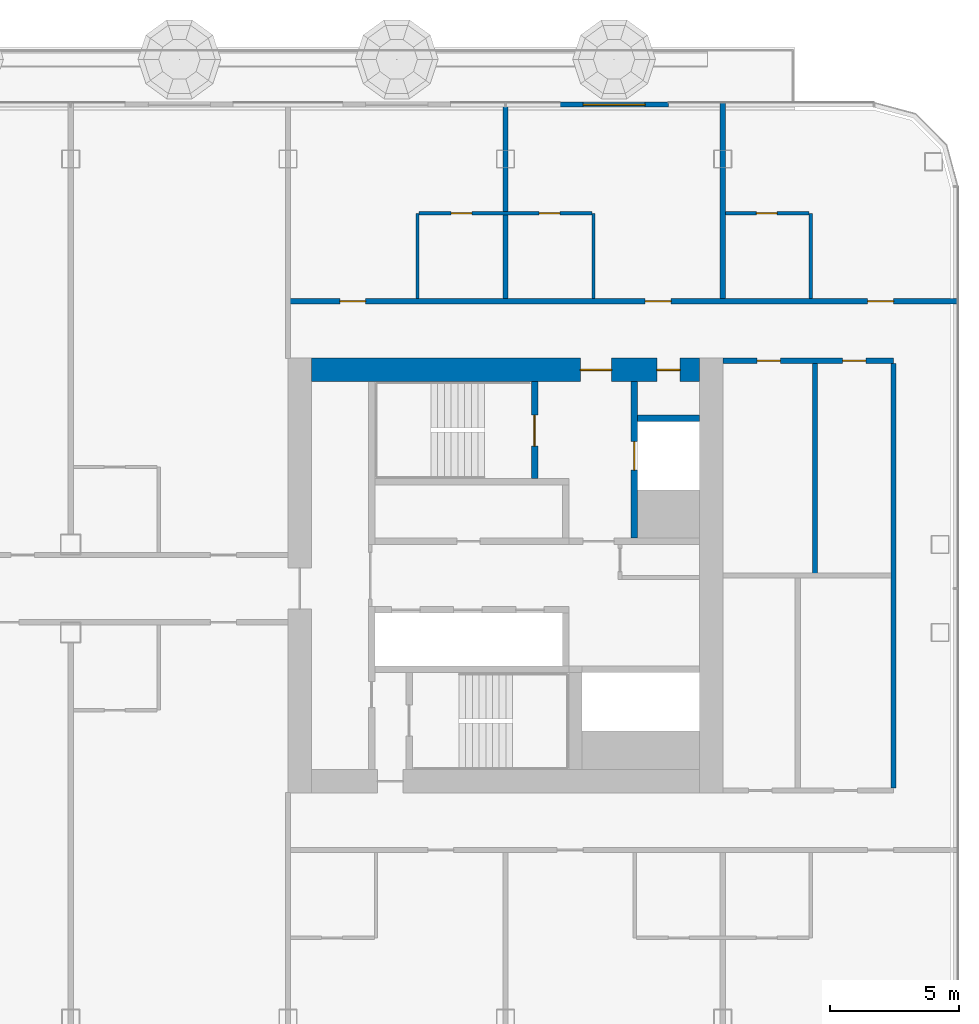
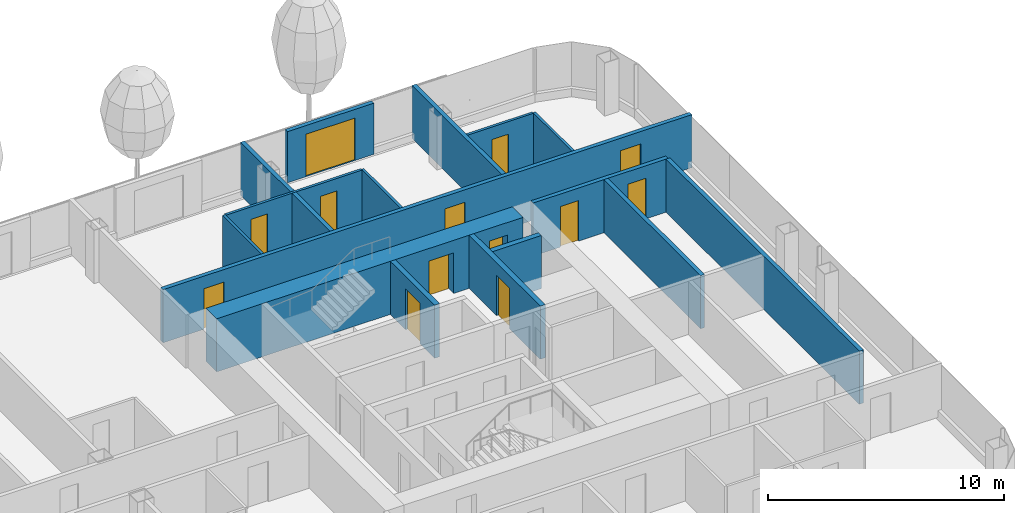
# One storey, part 15 of 29: 16 walls, 13 doors, 13 openings, 1 element without a shape of its own.
"""IFC4 building model written with IfcOpenShell, lengths in metres."""

from ifc_helpers import new_model, si_unit, direction, frame, frame_2d, origin, place, context, subcontext, project, spatial, rectangle, extrude, material, layer, layer_set, type_object, element, fill, aggregate, save


model = new_model("IFC4")

# Units and contexts
model_context = context("Model", 3, precision=1e-05, world=origin(), true_north=direction((0.0, 1.0)))
body_context = subcontext(model_context, "Body", "Model", "MODEL_VIEW")
ifc_project = project(units=[si_unit("LENGTHUNIT", "METRE"), si_unit("AREAUNIT", "SQUARE_METRE"), si_unit("VOLUMEUNIT", "CUBIC_METRE"), si_unit("PLANEANGLEUNIT", "RADIAN"), si_unit("MASSUNIT", "GRAM", prefix="KILO")], contexts=[model_context])

# Site, building, storey
site_placement = place(None, origin())
site = spatial("IfcSite", under=ifc_project, at=site_placement, CompositionType="ELEMENT")
building_placement = place(site_placement, origin())
building = spatial("IfcBuilding", under=site, at=building_placement, Name="Hakoniwa Tower and Hamabe Station Hall", CompositionType="ELEMENT")
storey_placement = place(building_placement, frame((0.0, 0.0, 163.0)))
storey = spatial("IfcBuildingStorey", under=building, at=storey_placement, Name="L46", CompositionType="ELEMENT", Elevation=163.0)

# Wall, openings, doors
ifc_material_1 = material(Name="Gypsum board partition", Category="gypsum")
ifc_layer_1 = layer(ifc_material_1, 0.125)
ifc_layer_set_1 = layer_set([ifc_layer_1], Name="Bathroom Partition 125")
wall_type_1 = type_object("IfcWallType", Name="Bathroom Partition 125", PredefinedType="PARTITIONING", material=ifc_layer_set_1)
wall_1_placement = place(storey_placement, frame((21.862548828125, 14.0, 0.0), z_axis=(0.0, 0.0, 1.0), x_axis=(1.0, 0.0, 0.0)))
wall_1 = element("IfcWall", 1, at=wall_1_placement, inside=storey, type_object=wall_type_1, Name="GW-L46-026", PredefinedType="PARTITIONING", context=body_context, shape_type="SweptSolid", body=[
    extrude(rectangle(XDim=6.675048828125, YDim=0.125, at=frame_2d((3.33740234375, 0.0))), origin(), (0.0, 0.0, 1.0), 2.75),
])
opening_1_placement = place(wall_1_placement, frame((1.237548828125, 0.0, 0.0)))
opening_1 = element("IfcOpeningElement", 2, at=opening_1_placement, cuts=wall_1, Name="Opening GD-G3A2-46", PredefinedType="OPENING", context=body_context, shape_type="SweptSolid", body=[
    extrude(rectangle(XDim=0.800048828125, YDim=2.10009765625, at=frame_2d((0.39990234375, 1.050048828125))), frame((0.0, 0.072509765625, 0.0), z_axis=(0.0, -1.0, 0.0), x_axis=(1.0, 0.0, 0.0)), (0.0, 0.0, 1.0), 0.14501953125),
])
opening_2_placement = place(wall_1_placement, frame((4.637451171875, 0.0, 0.0)))
opening_2 = element("IfcOpeningElement", 3, at=opening_2_placement, cuts=wall_1, Name="Opening GD-G3A2-47", PredefinedType="OPENING", context=body_context, shape_type="SweptSolid", body=[
    extrude(rectangle(XDim=0.800048828125, YDim=2.10009765625, at=frame_2d((0.39990234375, 1.050048828125))), frame((0.0, 0.072509765625, 0.0), z_axis=(0.0, -1.0, 0.0), x_axis=(1.0, 0.0, 0.0)), (0.0, 0.0, 1.0), 0.14501953125),
])
ifc_material_2 = material(Name="Timber door leaf", Category="wood")
door_type_1 = type_object("IfcDoorType", Name="Bathroom Door 800", OperationType="SINGLE_SWING_LEFT", PredefinedType="DOOR", material=ifc_material_2)
door_1_placement = place(opening_1_placement, origin())
door_1 = element("IfcDoor", 4, at=door_1_placement, inside=storey, type_object=door_type_1, Name="Door GD-G3A2-46", OperationType="SINGLE_SWING_LEFT", OverallHeight=2.10009765625, OverallWidth=0.800048828125, PredefinedType="DOOR", context=body_context, shape_type="SweptSolid", body=[
    extrude(rectangle(XDim=0.800048828125, YDim=2.10009765625, at=frame_2d((0.39990234375, 1.050048828125))), frame((0.0, 0.02490234375, 0.0), z_axis=(0.0, -1.0, 0.0), x_axis=(1.0, 0.0, 0.0)), (0.0, 0.0, 1.0), 0.050048828125),
])
fill(opening_1, door_1)
door_2_placement = place(opening_2_placement, origin())
door_2 = element("IfcDoor", 5, at=door_2_placement, inside=storey, type_object=door_type_1, Name="Door GD-G3A2-47", OperationType="SINGLE_SWING_RIGHT", OverallHeight=2.10009765625, OverallWidth=0.800048828125, PredefinedType="DOOR", context=body_context, shape_type="SweptSolid", body=[
    extrude(rectangle(XDim=0.800048828125, YDim=2.10009765625, at=frame_2d((0.39990234375, 1.050048828125))), frame((0.0, 0.02490234375, 0.0), z_axis=(0.0, -1.0, 0.0), x_axis=(1.0, 0.0, 0.0)), (0.0, 0.0, 1.0), 0.050048828125),
])
fill(opening_2, door_2)

# Wall, opening, door
wall_2_placement = place(storey_placement, frame((33.699951171875, 14.0, 0.0), z_axis=(0.0, 0.0, 1.0), x_axis=(1.0, 0.0, 0.0)))
wall_2 = element("IfcWall", 6, at=wall_2_placement, inside=storey, type_object=wall_type_1, Name="GW-L46-027", PredefinedType="PARTITIONING", context=body_context, shape_type="SweptSolid", body=[
    extrude(rectangle(XDim=3.237548828125, YDim=0.125, at=frame_2d((1.61865234375, 0.0))), origin(), (0.0, 0.0, 1.0), 2.75),
])
opening_3_placement = place(wall_2_placement, frame((1.199951171875, 0.0, 0.0)))
opening_3 = element("IfcOpeningElement", 7, at=opening_3_placement, cuts=wall_2, Name="Opening GD-G3A2-48", PredefinedType="OPENING", context=body_context, shape_type="SweptSolid", body=[
    extrude(rectangle(XDim=0.800048828125, YDim=2.10009765625, at=frame_2d((0.39990234375, 1.050048828125))), frame((0.0, 0.072509765625, 0.0), z_axis=(0.0, -1.0, 0.0), x_axis=(1.0, 0.0, 0.0)), (0.0, 0.0, 1.0), 0.14501953125),
])
door_3_placement = place(opening_3_placement, origin())
door_3 = element("IfcDoor", 8, at=door_3_placement, inside=storey, type_object=door_type_1, Name="Door GD-G3A2-48", OperationType="SINGLE_SWING_LEFT", OverallHeight=2.10009765625, OverallWidth=0.800048828125, PredefinedType="DOOR", context=body_context, shape_type="SweptSolid", body=[
    extrude(rectangle(XDim=0.800048828125, YDim=2.10009765625, at=frame_2d((0.39990234375, 1.050048828125))), frame((0.0, 0.02490234375, 0.0), z_axis=(0.0, -1.0, 0.0), x_axis=(1.0, 0.0, 0.0)), (0.0, 0.0, 1.0), 0.050048828125),
])
fill(opening_3, door_3)

# Walls
for number, where, z_axis, x_axis, name in (
    (9, (21.800048828125, 10.699951171875, 0.0), (0.0, 0.0, 1.0), (0.0, 1.0, 0.0), "GW-L46-060"),
    (10, (28.60009765625, 10.699951171875, 0.0), (0.0, 0.0, 1.0), (0.0, 1.0, 0.0), "GW-L46-063"),
    (11, (37.0, 10.699951171875, 0.0), (0.0, 0.0, 1.0), (0.0, 1.0, 0.0), "GW-L46-069"),
):
    element("IfcWall", number, at=place(storey_placement, frame(where, z_axis=z_axis, x_axis=x_axis)), inside=storey, type_object=wall_type_1, Name=name, PredefinedType="PARTITIONING", context=body_context, shape_type="SweptSolid", body=[
        extrude(rectangle(XDim=3.300048828125, YDim=0.125, at=frame_2d((1.64990234375, 0.0))), origin(), (0.0, 0.0, 1.0), 2.75),
    ])

# Wall, openings, doors
ifc_material_3 = material(Name="Concrete C66", Category="concrete")
ifc_layer_2 = layer(ifc_material_3, 0.89990234375)
ifc_layer_set_2 = layer_set([ifc_layer_2], Name="CORE WALL 900 C66")
wall_type_2 = type_object("IfcWallType", Name="CORE WALL 900 C66", PredefinedType="SHEAR", material=ifc_layer_set_2)
wall_3_placement = place(storey_placement, frame((17.699951171875, 7.949951171875, 0.0), z_axis=(0.0, 0.0, 1.0), x_axis=(1.0, 0.0, 0.0)))
wall_3 = element("IfcWall", 12, at=wall_3_placement, inside=storey, type_object=wall_type_2, Name="Core wall NORTH east", PredefinedType="SHEAR", context=body_context, shape_type="SweptSolid", body=[
    extrude(rectangle(XDim=15.0, YDim=0.89990234375, at=frame_2d((7.5, 0.0))), origin(), (0.0, 0.0, 1.0), 2.75),
])
opening_4_placement = place(wall_3_placement, frame((10.39990234375, 0.0, 0.0)))
opening_4 = element("IfcOpeningElement", 13, at=opening_4_placement, cuts=wall_3, Name="Opening CD-E-FN1-12", PredefinedType="OPENING", context=body_context, shape_type="SweptSolid", body=[
    extrude(rectangle(XDim=1.199951171875, YDim=2.10009765625, at=frame_2d((0.60009765625, 1.050048828125))), frame((0.0, 0.4599609375, 0.0), z_axis=(0.0, -1.0, 0.0), x_axis=(1.0, 0.0, 0.0)), (0.0, 0.0, 1.0), 0.919921875),
])
opening_5_placement = place(wall_3_placement, frame((13.35009765625, 0.0, 0.0)))
opening_5 = element("IfcOpeningElement", 14, at=opening_5_placement, cuts=wall_3, Name="Opening CD-E-FN2-9", PredefinedType="OPENING", context=body_context, shape_type="SweptSolid", body=[
    extrude(rectangle(XDim=0.89990234375, YDim=2.10009765625, at=frame_2d((0.449951171875, 1.050048828125))), frame((0.0, 0.4599609375, 0.0), z_axis=(0.0, -1.0, 0.0), x_axis=(1.0, 0.0, 0.0)), (0.0, 0.0, 1.0), 0.919921875),
])
ifc_material_4 = material(Name="Steel fire door", Category="steel")
door_type_2 = type_object("IfcDoorType", Name="CORE DOOR 1200 FD60", OperationType="DOUBLE_DOOR_SINGLE_SWING", PredefinedType="DOOR", material=ifc_material_4)
door_4_placement = place(opening_4_placement, origin())
door_4 = element("IfcDoor", 15, at=door_4_placement, inside=storey, type_object=door_type_2, Name="Stair vestibule door to the fire-fighting lobby", OperationType="DOUBLE_DOOR_SINGLE_SWING", OverallHeight=2.10009765625, OverallWidth=1.199951171875, PredefinedType="DOOR", context=body_context, shape_type="SweptSolid", body=[
    extrude(rectangle(XDim=1.199951171875, YDim=2.10009765625, at=frame_2d((0.60009765625, 1.050048828125))), frame((0.0, 0.02490234375, 0.0), z_axis=(0.0, -1.0, 0.0), x_axis=(1.0, 0.0, 0.0)), (0.0, 0.0, 1.0), 0.050048828125),
])
fill(opening_4, door_4)
ifc_material_5 = material(Name="Steel fire door", Category="steel")
door_type_3 = type_object("IfcDoorType", Name="CORE DOOR 900 FD30", OperationType="NOTDEFINED", PredefinedType="DOOR", material=ifc_material_5)
door_5_placement = place(opening_5_placement, origin())
door_5 = element("IfcDoor", 16, at=door_5_placement, inside=storey, type_object=door_type_3, Name="Riser access door", OperationType="SINGLE_SWING_RIGHT", OverallHeight=2.10009765625, OverallWidth=0.89990234375, PredefinedType="DOOR", context=body_context, shape_type="SweptSolid", body=[
    extrude(rectangle(XDim=0.89990234375, YDim=2.10009765625, at=frame_2d((0.449951171875, 1.050048828125))), frame((0.0, 0.02490234375, 0.0), z_axis=(0.0, -1.0, 0.0), x_axis=(1.0, 0.0, 0.0)), (0.0, 0.0, 1.0), 0.050048828125),
])
fill(opening_5, door_5)

# Wall, opening, door
ifc_material_6 = material(Name="Concrete C66", Category="concrete")
ifc_layer_3 = layer(ifc_material_6, 0.25)
ifc_layer_set_3 = layer_set([ifc_layer_3], Name="CORE WEB WALL 250 C66")
wall_type_3 = type_object("IfcWallType", Name="CORE WEB WALL 250 C66", PredefinedType="SHEAR", material=ifc_layer_set_3)
wall_4_placement = place(storey_placement, frame((26.324951171875, 3.75, 0.0), z_axis=(0.0, 0.0, 1.0), x_axis=(0.0, 1.0, 0.0)))
wall_4 = element("IfcWall", 17, at=wall_4_placement, inside=storey, type_object=wall_type_3, Name="Core wall NSE east", PredefinedType="SHEAR", context=body_context, shape_type="SweptSolid", body=[
    extrude(rectangle(XDim=3.75, YDim=0.25, at=frame_2d((1.875, 0.0))), origin(), (0.0, 0.0, 1.0), 2.75),
])
opening_6_placement = place(wall_4_placement, frame((1.25, 0.0, 0.0)))
opening_6 = element("IfcOpeningElement", 18, at=opening_6_placement, cuts=wall_4, Name="Opening CD-E-SN-12", PredefinedType="OPENING", context=body_context, shape_type="SweptSolid", body=[
    extrude(rectangle(XDim=1.199951171875, YDim=2.10009765625, at=frame_2d((0.60009765625, 1.050048828125))), frame((0.0, 0.135009765625, 0.0), z_axis=(0.0, -1.0, 0.0), x_axis=(1.0, 0.0, 0.0)), (0.0, 0.0, 1.0), 0.27001953125),
])
door_6_placement = place(opening_6_placement, origin())
door_6 = element("IfcDoor", 19, at=door_6_placement, inside=storey, type_object=door_type_2, Name="Escape stair door", OperationType="DOUBLE_DOOR_SINGLE_SWING", OverallHeight=2.10009765625, OverallWidth=1.199951171875, PredefinedType="DOOR", context=body_context, shape_type="SweptSolid", body=[
    extrude(rectangle(XDim=1.199951171875, YDim=2.10009765625, at=frame_2d((0.60009765625, 1.050048828125))), frame((0.0, 0.02490234375, 0.0), z_axis=(0.0, -1.0, 0.0), x_axis=(1.0, 0.0, 0.0)), (0.0, 0.0, 1.0), 0.050048828125),
])
fill(opening_6, door_6)

wall_5_placement = place(storey_placement, frame((30.175048828125, 1.449951171875, 0.0), z_axis=(0.0, 0.0, 1.0), x_axis=(0.0, 1.0, 0.0)))
wall_5 = element("IfcWall", 20, at=wall_5_placement, inside=storey, type_object=wall_type_3, Name="Core wall FFF east", PredefinedType="SHEAR", context=body_context, shape_type="SweptSolid", body=[
    extrude(rectangle(XDim=6.050048828125, YDim=0.25, at=frame_2d((3.02490234375, 0.0))), origin(), (0.0, 0.0, 1.0), 2.75),
])
opening_7_placement = place(wall_5_placement, frame((2.625, 0.0, 0.0)))
opening_7 = element("IfcOpeningElement", 21, at=opening_7_placement, cuts=wall_5, Name="Opening LD-FF2", PredefinedType="OPENING", context=body_context, shape_type="SweptSolid", body=[
    extrude(rectangle(XDim=1.10009765625, YDim=2.10009765625, at=frame_2d((0.550048828125, 1.050048828125))), frame((0.0, 0.135009765625, 0.0), z_axis=(0.0, -1.0, 0.0), x_axis=(1.0, 0.0, 0.0)), (0.0, 0.0, 1.0), 0.27001953125),
])
ifc_material_7 = material(Name="Stainless steel SUS304", Category="steel")
door_type_4 = type_object("IfcDoorType", Name="LIFT LANDING DOOR 1100 FD60", OperationType="DOUBLE_DOOR_SLIDING", PredefinedType="DOOR", material=ifc_material_7)
door_7_placement = place(opening_7_placement, origin())
door_7 = element("IfcDoor", 22, at=door_7_placement, inside=storey, type_object=door_type_4, Name="Lift landing door FF2 L46", OperationType="DOUBLE_DOOR_SLIDING", OverallHeight=2.10009765625, OverallWidth=1.10009765625, PredefinedType="DOOR", context=body_context, shape_type="SweptSolid", body=[
    extrude(rectangle(XDim=1.10009765625, YDim=2.10009765625, at=frame_2d((0.550048828125, 1.050048828125))), frame((0.0, 0.02490234375, 0.0), z_axis=(0.0, -1.0, 0.0), x_axis=(1.0, 0.0, 0.0)), (0.0, 0.0, 1.0), 0.050048828125),
])
fill(opening_7, door_7)

# Wall
wall_6_placement = place(storey_placement, frame((30.300048828125, 6.074951171875, 0.0), z_axis=(0.0, 0.0, 1.0), x_axis=(1.0, 0.0, 0.0)))
element("IfcWall", 23, at=wall_6_placement, inside=storey, type_object=wall_type_3, Name="Core wall C2 east", PredefinedType="SHEAR", context=body_context, shape_type="SweptSolid", body=[
    extrude(rectangle(XDim=2.39990234375, YDim=0.25, at=frame_2d((1.199951171875, 0.0))), origin(), (0.0, 0.0, 1.0), 2.75),
])

# Wall, openings, doors
ifc_material_8 = material(Name="Fire-rated gypsum board partition", Category="gypsum")
ifc_layer_4 = layer(ifc_material_8, 0.199951171875)
ifc_layer_set_4 = layer_set([ifc_layer_4], Name="Corridor Wall 200")
wall_type_4 = type_object("IfcWallType", Name="Corridor Wall 200", PredefinedType="PARTITIONING", material=ifc_layer_set_4)
wall_7_placement = place(storey_placement, frame((33.60009765625, 8.300048828125, 0.0), z_axis=(0.0, 0.0, 1.0), x_axis=(1.0, 0.0, 0.0)))
wall_7 = element("IfcWall", 24, at=wall_7_placement, inside=storey, type_object=wall_type_4, Name="GW-L46-020", PredefinedType="PARTITIONING", context=body_context, shape_type="SweptSolid", body=[
    extrude(rectangle(XDim=6.599853515625, YDim=0.199951171875, at=frame_2d((3.2998046875, 0.0))), origin(), (0.0, 0.0, 1.0), 2.75),
])
opening_8_placement = place(wall_7_placement, frame((1.330078125, 0.0, 0.0)))
opening_8 = element("IfcOpeningElement", 25, at=opening_8_placement, cuts=wall_7, Name="Opening GD-G3A2-35", PredefinedType="OPENING", context=body_context, shape_type="SweptSolid", body=[
    extrude(rectangle(XDim=0.89990234375, YDim=2.10009765625, at=frame_2d((0.449951171875, 1.050048828125))), frame((0.0, 0.10986328125, 0.0), z_axis=(0.0, -1.0, 0.0), x_axis=(1.0, 0.0, 0.0)), (0.0, 0.0, 1.0), 0.219970703125),
])
opening_9_placement = place(wall_7_placement, frame((4.6298828125, 0.0, 0.0)))
opening_9 = element("IfcOpeningElement", 26, at=opening_9_placement, cuts=wall_7, Name="Opening GD-G3A2-36", PredefinedType="OPENING", context=body_context, shape_type="SweptSolid", body=[
    extrude(rectangle(XDim=0.89990234375, YDim=2.10009765625, at=frame_2d((0.449951171875, 1.050048828125))), frame((0.0, 0.10986328125, 0.0), z_axis=(0.0, -1.0, 0.0), x_axis=(1.0, 0.0, 0.0)), (0.0, 0.0, 1.0), 0.219970703125),
])
ifc_material_9 = material(Name="Timber door leaf", Category="wood")
door_type_5 = type_object("IfcDoorType", Name="Service Door 900", OperationType="SINGLE_SWING_LEFT", PredefinedType="DOOR", material=ifc_material_9)
door_8_placement = place(opening_8_placement, origin())
door_8 = element("IfcDoor", 27, at=door_8_placement, inside=storey, type_object=door_type_5, Name="Door GD-G3A2-35", OperationType="SINGLE_SWING_RIGHT", OverallHeight=2.10009765625, OverallWidth=0.89990234375, PredefinedType="DOOR", context=body_context, shape_type="SweptSolid", body=[
    extrude(rectangle(XDim=0.89990234375, YDim=2.10009765625, at=frame_2d((0.449951171875, 1.050048828125))), frame((0.0, 0.02490234375, 0.0), z_axis=(0.0, -1.0, 0.0), x_axis=(1.0, 0.0, 0.0)), (0.0, 0.0, 1.0), 0.050048828125),
])
fill(opening_8, door_8)
door_9_placement = place(opening_9_placement, origin())
door_9 = element("IfcDoor", 28, at=door_9_placement, inside=storey, type_object=door_type_5, Name="Door GD-G3A2-36", OperationType="SINGLE_SWING_RIGHT", OverallHeight=2.10009765625, OverallWidth=0.89990234375, PredefinedType="DOOR", context=body_context, shape_type="SweptSolid", body=[
    extrude(rectangle(XDim=0.89990234375, YDim=2.10009765625, at=frame_2d((0.449951171875, 1.050048828125))), frame((0.0, 0.02490234375, 0.0), z_axis=(0.0, -1.0, 0.0), x_axis=(1.0, 0.0, 0.0)), (0.0, 0.0, 1.0), 0.050048828125),
])
fill(opening_9, door_9)

wall_8_placement = place(storey_placement, frame((16.800048828125, 10.60009765625, 0.0), z_axis=(0.0, 0.0, 1.0), x_axis=(1.0, 0.0, 0.0)))
wall_8 = element("IfcWall", 29, at=wall_8_placement, inside=storey, type_object=wall_type_4, Name="GW-L46-022", PredefinedType="PARTITIONING", context=body_context, shape_type="SweptSolid", body=[
    extrude(rectangle(XDim=25.89990234375, YDim=0.199951171875, at=frame_2d((12.949951171875, 0.0))), origin(), (0.0, 0.0, 1.0), 2.75),
])
opening_10_placement = place(wall_8_placement, frame((2.0, 0.0, 0.0)))
opening_10 = element("IfcOpeningElement", 30, at=opening_10_placement, cuts=wall_8, Name="Opening GD-G3A2-40", PredefinedType="OPENING", context=body_context, shape_type="SweptSolid", body=[
    extrude(rectangle(XDim=1.0, YDim=2.10009765625, at=frame_2d((0.5, 1.050048828125))), frame((0.0, 0.10986328125, 0.0), z_axis=(0.0, -1.0, 0.0), x_axis=(1.0, 0.0, 0.0)), (0.0, 0.0, 1.0), 0.219970703125),
])
opening_11_placement = place(wall_8_placement, frame((13.800048828125, 0.0, 0.0)))
opening_11 = element("IfcOpeningElement", 31, at=opening_11_placement, cuts=wall_8, Name="Opening GD-G3A2-41", PredefinedType="OPENING", context=body_context, shape_type="SweptSolid", body=[
    extrude(rectangle(XDim=1.0, YDim=2.10009765625, at=frame_2d((0.5, 1.050048828125))), frame((0.0, 0.10986328125, 0.0), z_axis=(0.0, -1.0, 0.0), x_axis=(1.0, 0.0, 0.0)), (0.0, 0.0, 1.0), 0.219970703125),
])
opening_12_placement = place(wall_8_placement, frame((22.39990234375, 0.0, 0.0)))
opening_12 = element("IfcOpeningElement", 32, at=opening_12_placement, cuts=wall_8, Name="Opening GD-G3A2-42", PredefinedType="OPENING", context=body_context, shape_type="SweptSolid", body=[
    extrude(rectangle(XDim=1.0, YDim=2.10009765625, at=frame_2d((0.5, 1.050048828125))), frame((0.0, 0.10986328125, 0.0), z_axis=(0.0, -1.0, 0.0), x_axis=(1.0, 0.0, 0.0)), (0.0, 0.0, 1.0), 0.219970703125),
])
ifc_material_10 = material(Name="Timber door leaf", Category="wood")
door_type_6 = type_object("IfcDoorType", Name="Guest Entrance Door 1000", OperationType="SINGLE_SWING_LEFT", PredefinedType="DOOR", material=ifc_material_10)
door_10_placement = place(opening_10_placement, origin())
door_10 = element("IfcDoor", 33, at=door_10_placement, inside=storey, type_object=door_type_6, Name="Door GD-G3A2-40", OperationType="SINGLE_SWING_RIGHT", OverallHeight=2.10009765625, OverallWidth=1.0, PredefinedType="DOOR", context=body_context, shape_type="SweptSolid", body=[
    extrude(rectangle(XDim=1.0, YDim=2.10009765625, at=frame_2d((0.5, 1.050048828125))), frame((0.0, 0.02490234375, 0.0), z_axis=(0.0, -1.0, 0.0), x_axis=(1.0, 0.0, 0.0)), (0.0, 0.0, 1.0), 0.050048828125),
])
fill(opening_10, door_10)
door_11_placement = place(opening_11_placement, origin())
door_11 = element("IfcDoor", 34, at=door_11_placement, inside=storey, type_object=door_type_6, Name="Door GD-G3A2-41", OperationType="SINGLE_SWING_LEFT", OverallHeight=2.10009765625, OverallWidth=1.0, PredefinedType="DOOR", context=body_context, shape_type="SweptSolid", body=[
    extrude(rectangle(XDim=1.0, YDim=2.10009765625, at=frame_2d((0.5, 1.050048828125))), frame((0.0, 0.02490234375, 0.0), z_axis=(0.0, -1.0, 0.0), x_axis=(1.0, 0.0, 0.0)), (0.0, 0.0, 1.0), 0.050048828125),
])
fill(opening_11, door_11)
door_12_placement = place(opening_12_placement, origin())
door_12 = element("IfcDoor", 35, at=door_12_placement, inside=storey, type_object=door_type_6, Name="Door GD-G3A2-42", OperationType="SINGLE_SWING_RIGHT", OverallHeight=2.10009765625, OverallWidth=1.0, PredefinedType="DOOR", context=body_context, shape_type="SweptSolid", body=[
    extrude(rectangle(XDim=1.0, YDim=2.10009765625, at=frame_2d((0.5, 1.050048828125))), frame((0.0, 0.02490234375, 0.0), z_axis=(0.0, -1.0, 0.0), x_axis=(1.0, 0.0, 0.0)), (0.0, 0.0, 1.0), 0.050048828125),
])
fill(opening_12, door_12)

# Curtain wall, wall, opening, door
ifc_material_11 = material(Name="Dark low-e laminated glass", Category="glass")
ifc_layer_5 = layer(ifc_material_11, 0.199951171875)
ifc_layer_set_5 = layer_set([ifc_layer_5], Name="CW-1 UNITISED GUEST")
curtain_wall_type = type_object("IfcCurtainWallType", Name="CW-1 UNITISED GUEST", PredefinedType="NOTDEFINED", material=ifc_layer_set_5)
curtain_wall_placement = place(storey_placement, origin())
curtain_wall = element("IfcCurtainWall", 36, at=curtain_wall_placement, inside=storey, type_object=curtain_wall_type, Name="CW-1 curtain wall", PredefinedType="NOTDEFINED")
ifc_material_12 = material(Name="Dark glass-faced aluminium panel", Category="aluminium")
ifc_layer_6 = layer(ifc_material_12, 0.199951171875)
ifc_layer_set_6 = layer_set([ifc_layer_6], Name="DOOR BAY WALL")
wall_type_5 = type_object("IfcWallType", Name="DOOR BAY WALL", PredefinedType="NOTDEFINED", material=ifc_layer_set_6)
wall_9_placement = place(storey_placement, frame((31.510009765625, 18.199951171875, 0.0), z_axis=(0.0, 0.0, 1.0), x_axis=(-1.0, 0.0, 0.0)))
wall_9 = element("IfcWall", 37, at=wall_9_placement, type_object=wall_type_5, Name="Door bay wall", PredefinedType="NOTDEFINED", context=body_context, shape_type="SweptSolid", body=[
    extrude(rectangle(XDim=4.219970703125, YDim=0.199951171875, at=frame_2d((2.10986328125, 0.0))), origin(), (0.0, 0.0, 1.0), 2.64990234375),
])
opening_13_placement = place(wall_9_placement, frame((0.909912109375, 0.0, 0.0)))
opening_13 = element("IfcOpeningElement", 38, at=opening_13_placement, cuts=wall_9, Name="Opening BD-N03-7", PredefinedType="OPENING", context=body_context, shape_type="SweptSolid", body=[
    extrude(rectangle(XDim=2.39990234375, YDim=2.199951171875, at=frame_2d((1.199951171875, 1.10009765625))), frame((0.0, 0.10986328125, 0.0), z_axis=(0.0, -1.0, 0.0), x_axis=(1.0, 0.0, 0.0)), (0.0, 0.0, 1.0), 0.219970703125),
])
ifc_material_13 = material(Name="Dark low-e laminated glass", Category="glass")
door_type_7 = type_object("IfcDoorType", Name="BALCONY SLIDING DOOR 2400X2200", OperationType="SLIDING_TO_LEFT", PredefinedType="DOOR", material=ifc_material_13)
door_13_placement = place(opening_13_placement, frame((2.39990234375, 0.0, 0.0), z_axis=(0.0, 0.0, 1.0), x_axis=(-1.0, 0.0, 0.0)))
door_13 = element("IfcDoor", 39, at=door_13_placement, inside=storey, type_object=door_type_7, Name="Balcony sliding door", OperationType="SLIDING_TO_LEFT", OverallHeight=2.199951171875, OverallWidth=2.39990234375, PredefinedType="DOOR", context=body_context, shape_type="SweptSolid", body=[
    extrude(rectangle(XDim=2.39990234375, YDim=2.199951171875, at=frame_2d((1.199951171875, 1.10009765625))), frame((0.0, 0.02490234375, 0.0), z_axis=(0.0, -1.0, 0.0), x_axis=(1.0, 0.0, 0.0)), (0.0, 0.0, 1.0), 0.050048828125),
])
fill(opening_13, door_13)
aggregate(curtain_wall, [wall_9])

# Walls
ifc_material_14 = material(Name="Fire-rated gypsum board partition", Category="gypsum")
ifc_layer_7 = layer(ifc_material_14, 0.199951171875)
ifc_layer_set_7 = layer_set([ifc_layer_7], Name="Party Wall 200")
wall_type_6 = type_object("IfcWallType", Name="Party Wall 200", PredefinedType="PARTITIONING", material=ifc_layer_set_7)
for number, where, z_axis, x_axis, name in (
    (40, (25.199951171875, 10.699951171875, 0.0), (0.0, 0.0, 1.0), (0.0, 1.0, 0.0), "GW-L46-062"),
    (41, (33.60009765625, 10.699951171875, 0.0), (0.0, 0.0, 1.0), (0.0, 1.0, 0.0), "GW-L46-066"),
):
    element("IfcWall", number, at=place(storey_placement, frame(where, z_axis=z_axis, x_axis=x_axis)), inside=storey, type_object=wall_type_6, Name=name, PredefinedType="PARTITIONING", context=body_context, shape_type="SweptSolid", body=[
        extrude(rectangle(XDim=7.60009765625, YDim=0.199951171875, at=frame_2d((3.800048828125, 0.0))), origin(), (0.0, 0.0, 1.0), 2.75),
    ])
wall_10_placement = place(storey_placement, frame((37.159912109375, 0.0, 0.0), z_axis=(0.0, 0.0, 1.0), x_axis=(0.0, 1.0, 0.0)))
element("IfcWall", 42, at=wall_10_placement, inside=storey, type_object=wall_type_6, Name="GW-L46-070", PredefinedType="PARTITIONING", context=body_context, shape_type="SweptSolid", body=[
    extrude(rectangle(XDim=8.199951171875, YDim=0.199951171875, at=frame_2d((4.10009765625, 0.0))), origin(), (0.0, 0.0, 1.0), 2.75),
])
wall_11_placement = place(storey_placement, frame((40.199951171875, -8.199951171875, 0.0), z_axis=(0.0, 0.0, 1.0), x_axis=(0.0, 1.0, 0.0)))
element("IfcWall", 43, at=wall_11_placement, inside=storey, type_object=wall_type_6, Name="GW-L46-071", PredefinedType="PARTITIONING", context=body_context, shape_type="SweptSolid", body=[
    extrude(rectangle(XDim=16.39990234375, YDim=0.199951171875, at=frame_2d((8.199951171875, 0.0))), origin(), (0.0, 0.0, 1.0), 2.75),
])

save(model, "model.ifc")
